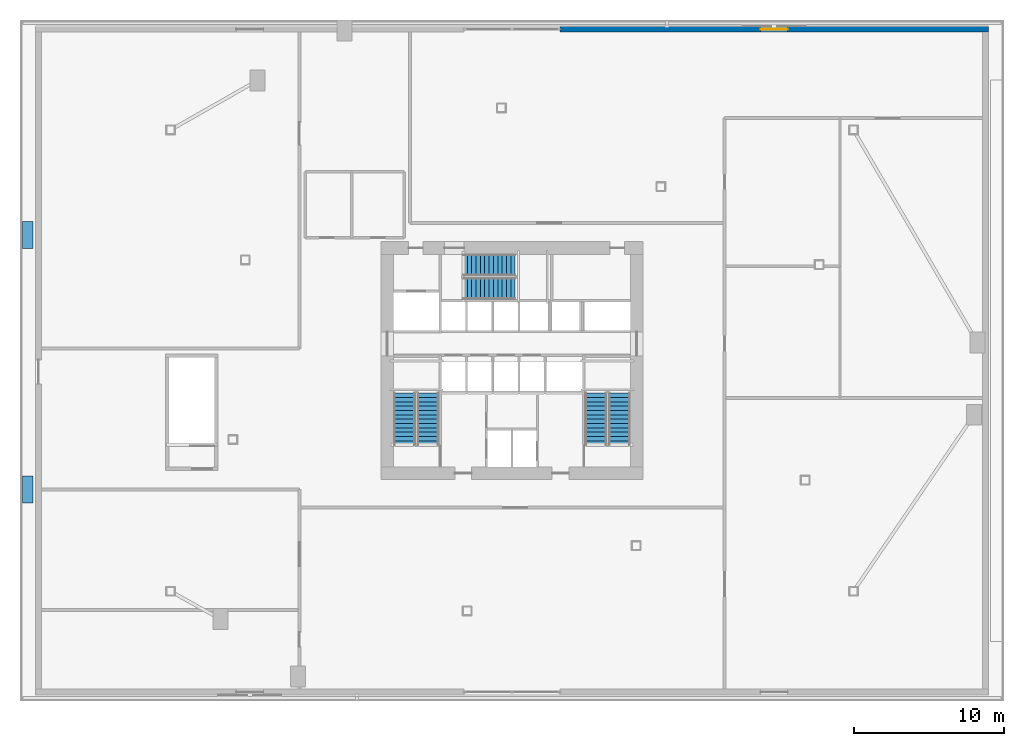
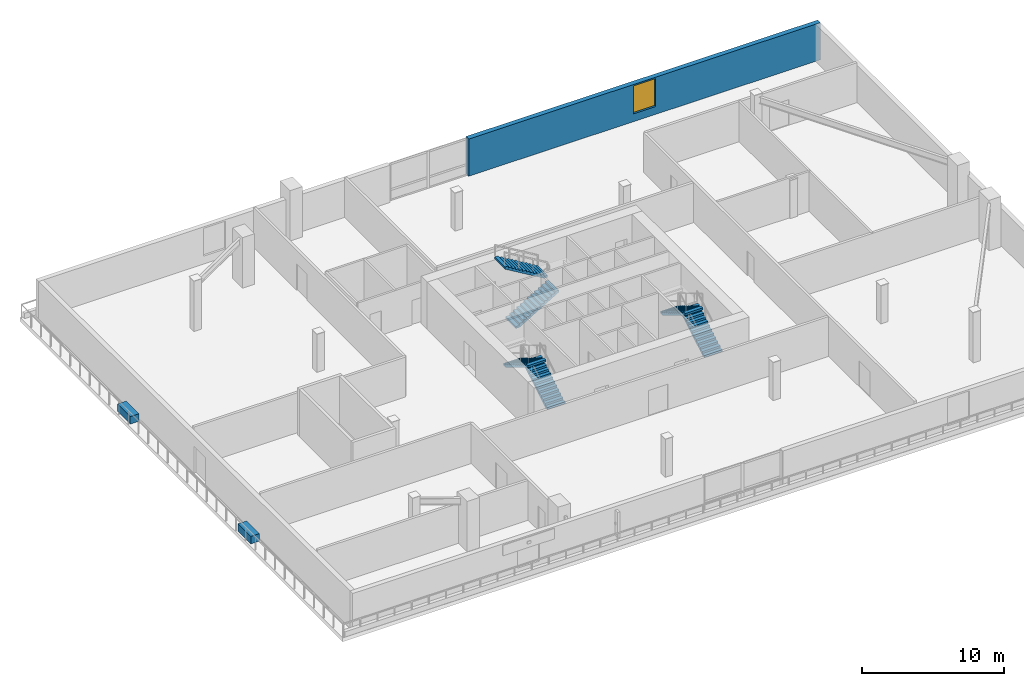
# One storey, part 10 of 16: 6 stair flights, 2 discrete accessories, 1 wall, 1 window, 1 opening, 3 elements without a shape of their own.
"""IFC4 building model written with IfcOpenShell, lengths in metres."""

from ifc_helpers import new_model, si_unit, direction, frame, frame_2d, origin, origin_2d, place, context, subcontext, project, spatial, polyline, rectangle, outline, extrude, source, transform, mapped, material, layer, layer_set, type_object, type_shapes, element, fill, aggregate, save


model = new_model("IFC4")

# Units and contexts
model_context = context("Model", 3, precision=1e-05, world=origin(), true_north=direction((0.0, 1.0)))
body_context = subcontext(model_context, "Body", "Model", "MODEL_VIEW")
ifc_project = project(units=[si_unit("LENGTHUNIT", "METRE"), si_unit("AREAUNIT", "SQUARE_METRE"), si_unit("VOLUMEUNIT", "CUBIC_METRE"), si_unit("PLANEANGLEUNIT", "RADIAN"), si_unit("MASSUNIT", "GRAM", prefix="KILO")], contexts=[model_context])

# Site, building, storey
site_placement = place(None, origin())
site = spatial("IfcSite", under=ifc_project, at=site_placement, CompositionType="ELEMENT")
building_placement = place(site_placement, origin())
building = spatial("IfcBuilding", under=site, at=building_placement, Name="Olszyna Solenne Hotel", CompositionType="ELEMENT")
storey_placement = place(building_placement, frame((0.0, 0.0, 20.10009765625)))
storey = spatial("IfcBuildingStorey", under=building, at=storey_placement, Name="L04", CompositionType="ELEMENT", Elevation=20.10009765625)

# Wall, opening, window
ifc_material_1 = material(Name="Terracotta cladding on precast concrete C45/55", Category="masonry")
ifc_layer = layer(ifc_material_1, 0.3798828125, Name="Terracotta cladding on precast concrete C45/55")
ifc_layer_set = layer_set([ifc_layer], Name="Terracotta cladding on precast concrete C45/55")
wall_type = type_object("IfcWallType", Name="WL-EX380", PredefinedType="SOLIDWALL", material=ifc_layer_set)
wall_placement = place(storey_placement, frame((41.199951171875, 48.72998046875, 0.0), z_axis=(0.0, 0.0, 1.0), x_axis=(1.0, 0.0, 0.0)))
wall = element("IfcWall", 1, at=wall_placement, inside=storey, type_object=wall_type, Name="Podium terracotta-precast exterior wall EW-L04-NE", PredefinedType="SOLIDWALL", context=body_context, shape_type="SweptSolid", body=[
    extrude(rectangle(XDim=28.60009765625, YDim=0.3798828125, at=frame_2d((14.300048828125, 0.0))), origin(), (0.0, 0.0, 1.0), 3.199951171875),
])
opening_placement = place(wall_placement, frame((13.39990234375, 0.0, 0.679931640625)))
opening = element("IfcOpeningElement", 2, at=opening_placement, cuts=wall, Name="Opening WN-L04-020", PredefinedType="OPENING", context=body_context, shape_type="SweptSolid", body=[
    extrude(rectangle(XDim=1.800048828125, YDim=2.39990234375, at=frame_2d((0.89990234375, 1.199951171875))), frame((0.0, 0.199951171875, 0.0), z_axis=(0.0, -1.0, 0.0), x_axis=(1.0, 0.0, 0.0)), (0.0, 0.0, 1.0), 0.39990234375),
])
ifc_material_2 = material(Name="Low-E triple glazing", Category="glass")
window_type = type_object("IfcWindowType", Name="WN-PD2", PartitioningType="SINGLE_PANEL", PredefinedType="WINDOW", material=ifc_material_2)
shared_shape_1 = source(origin(), body_context, "Body", "SweptSolid", [
    extrude(rectangle(XDim=1.800048828125, YDim=2.39990234375, at=frame_2d((0.89990234375, 1.199951171875))), frame((0.0, 0.030029296875, 0.0), z_axis=(0.0, -1.0, 0.0), x_axis=(1.0, 0.0, 0.0)), (0.0, 0.0, 1.0), 0.06005859375),
])
type_shapes(window_type, [shared_shape_1])
window_placement = place(opening_placement, origin())
window = element("IfcWindow", 3, at=window_placement, inside=storey, type_object=window_type, Name="Podium triple-glazed window WN-PD2 WN-L04-020", OverallHeight=2.39990234375, OverallWidth=1.800048828125, PartitioningType="SINGLE_PANEL", PredefinedType="WINDOW", context=body_context, shape_type="MappedRepresentation", body=[
    mapped(shared_shape_1, transform((0.0, 0.0, 0.0), x_axis=(1.0, 0.0, 0.0), y_axis=(0.0, 1.0, 0.0), z_axis=(0.0, 0.0, 1.0), scale=1.0)),
])
fill(opening, window)

# Stair, stair flights
ifc_material_3 = material(Name="Concrete C40/50", Category="concrete")
stair_type = type_object("IfcStairType", Name="STR-C1", PredefinedType="TWO_QUARTER_WINDING_STAIR", material=ifc_material_3)
stair_1_placement = place(storey_placement, origin())
stair_1 = element("IfcStair", 4, at=stair_1_placement, inside=storey, type_object=stair_type, Name="L04 ST1", PredefinedType="TWO_QUARTER_WINDING_STAIR")
stair_flight_type = type_object("IfcStairFlightType", Name="FLT-C1", PredefinedType="STRAIGHT", material=ifc_material_3)
stair_flight_1_placement = place(storey_placement, frame((32.39501953125, 20.949951171875, 0.0), z_axis=(0.0, 0.0, 1.0), x_axis=(0.0, 1.0, 0.0)))
stair_flight_1 = element("IfcStairFlight", 5, at=stair_flight_1_placement, type_object=stair_flight_type, Name="ST1 flight 1", NumberOfRisers=13, NumberOfTreads=12, PredefinedType="STRAIGHT", RiserHeight=0.173076923, TreadLength=0.29, context=body_context, shape_type="SweptSolid", body=[
    extrude(outline(polyline([(0.0, 0.0), (0.0, 0.173095703125), (0.2900390625, 0.173095703125), (0.2900390625, 0.34619140625), (0.580078125, 0.34619140625), (0.580078125, 0.519287109375), (0.8701171875, 0.519287109375), (0.8701171875, 0.6923828125), (1.159912109375, 0.6923828125), (1.159912109375, 0.865478515625), (1.449951171875, 0.865478515625), (1.449951171875, 1.03857421875), (1.739990234375, 1.03857421875), (1.739990234375, 1.21142578125), (2.030029296875, 1.21142578125), (2.030029296875, 1.384521484375), (2.320068359375, 1.384521484375), (2.320068359375, 1.5576171875), (2.610107421875, 1.5576171875), (2.610107421875, 1.730712890625), (2.89990234375, 1.730712890625), (2.89990234375, 1.90380859375), (3.18994140625, 1.90380859375), (3.18994140625, 2.076904296875), (3.47998046875, 2.076904296875), (3.47998046875, 2.25), (3.47998046875, 1.90234375), (0.29248046875, 0.0), (0.0, 0.0)])), frame((0.0, 0.72509765625, 0.0), z_axis=(0.0, -1.0, 0.0), x_axis=(1.0, 0.0, 0.0)), (0.0, 0.0, 1.0), 1.449951171875),
])
stair_flight_2_placement = place(storey_placement, frame((30.824951171875, 24.429931640625, 2.25), z_axis=(0.0, 0.0, 1.0), x_axis=(0.0, -1.0, 0.0)))
stair_flight_2 = element("IfcStairFlight", 6, at=stair_flight_2_placement, type_object=stair_flight_type, Name="ST1 flight 2", NumberOfRisers=13, NumberOfTreads=12, PredefinedType="STRAIGHT", RiserHeight=0.173076923, TreadLength=0.29, context=body_context, shape_type="SweptSolid", body=[
    extrude(outline(polyline([(0.0, 0.0), (0.0, 0.173095703125), (0.2900390625, 0.173095703125), (0.2900390625, 0.34619140625), (0.580078125, 0.34619140625), (0.580078125, 0.519287109375), (0.8701171875, 0.519287109375), (0.8701171875, 0.6923828125), (1.159912109375, 0.6923828125), (1.159912109375, 0.865478515625), (1.449951171875, 0.865478515625), (1.449951171875, 1.03857421875), (1.739990234375, 1.03857421875), (1.739990234375, 1.21142578125), (2.030029296875, 1.21142578125), (2.030029296875, 1.384521484375), (2.320068359375, 1.384521484375), (2.320068359375, 1.5576171875), (2.610107421875, 1.5576171875), (2.610107421875, 1.730712890625), (2.89990234375, 1.730712890625), (2.89990234375, 1.90380859375), (3.18994140625, 1.90380859375), (3.18994140625, 2.076904296875), (3.47998046875, 2.076904296875), (3.47998046875, 2.25), (3.47998046875, 1.90234375), (0.29248046875, 0.0), (0.0, 0.0)])), frame((0.0, 0.72509765625, 0.0), z_axis=(0.0, -1.0, 0.0), x_axis=(1.0, 0.0, 0.0)), (0.0, 0.0, 1.0), 1.449951171875),
])
aggregate(stair_1, [stair_flight_1, stair_flight_2])

stair_2_placement = place(storey_placement, origin())
stair_2 = element("IfcStair", 7, at=stair_2_placement, inside=storey, type_object=stair_type, Name="L04 ST2", PredefinedType="TWO_QUARTER_WINDING_STAIR")
stair_flight_3_placement = place(storey_placement, frame((45.175048828125, 20.949951171875, 0.0), z_axis=(0.0, 0.0, 1.0), x_axis=(0.0, 1.0, 0.0)))
stair_flight_3 = element("IfcStairFlight", 8, at=stair_flight_3_placement, type_object=stair_flight_type, Name="ST2 flight 1", NumberOfRisers=13, NumberOfTreads=12, PredefinedType="STRAIGHT", RiserHeight=0.173076923, TreadLength=0.29, context=body_context, shape_type="SweptSolid", body=[
    extrude(outline(polyline([(0.0, 0.0), (0.0, 0.173095703125), (0.2900390625, 0.173095703125), (0.2900390625, 0.34619140625), (0.580078125, 0.34619140625), (0.580078125, 0.519287109375), (0.8701171875, 0.519287109375), (0.8701171875, 0.6923828125), (1.159912109375, 0.6923828125), (1.159912109375, 0.865478515625), (1.449951171875, 0.865478515625), (1.449951171875, 1.03857421875), (1.739990234375, 1.03857421875), (1.739990234375, 1.21142578125), (2.030029296875, 1.21142578125), (2.030029296875, 1.384521484375), (2.320068359375, 1.384521484375), (2.320068359375, 1.5576171875), (2.610107421875, 1.5576171875), (2.610107421875, 1.730712890625), (2.89990234375, 1.730712890625), (2.89990234375, 1.90380859375), (3.18994140625, 1.90380859375), (3.18994140625, 2.076904296875), (3.47998046875, 2.076904296875), (3.47998046875, 2.25), (3.47998046875, 1.90234375), (0.29248046875, 0.0), (0.0, 0.0)])), frame((0.0, 0.72509765625, 0.0), z_axis=(0.0, -1.0, 0.0), x_axis=(1.0, 0.0, 0.0)), (0.0, 0.0, 1.0), 1.449951171875),
])
stair_flight_4_placement = place(storey_placement, frame((43.60498046875, 24.429931640625, 2.25), z_axis=(0.0, 0.0, 1.0), x_axis=(0.0, -1.0, 0.0)))
stair_flight_4 = element("IfcStairFlight", 9, at=stair_flight_4_placement, type_object=stair_flight_type, Name="ST2 flight 2", NumberOfRisers=13, NumberOfTreads=12, PredefinedType="STRAIGHT", RiserHeight=0.173076923, TreadLength=0.29, context=body_context, shape_type="SweptSolid", body=[
    extrude(outline(polyline([(0.0, 0.0), (0.0, 0.173095703125), (0.2900390625, 0.173095703125), (0.2900390625, 0.34619140625), (0.580078125, 0.34619140625), (0.580078125, 0.519287109375), (0.8701171875, 0.519287109375), (0.8701171875, 0.6923828125), (1.159912109375, 0.6923828125), (1.159912109375, 0.865478515625), (1.449951171875, 0.865478515625), (1.449951171875, 1.03857421875), (1.739990234375, 1.03857421875), (1.739990234375, 1.21142578125), (2.030029296875, 1.21142578125), (2.030029296875, 1.384521484375), (2.320068359375, 1.384521484375), (2.320068359375, 1.5576171875), (2.610107421875, 1.5576171875), (2.610107421875, 1.730712890625), (2.89990234375, 1.730712890625), (2.89990234375, 1.90380859375), (3.18994140625, 1.90380859375), (3.18994140625, 2.076904296875), (3.47998046875, 2.076904296875), (3.47998046875, 2.25), (3.47998046875, 1.90234375), (0.29248046875, 0.0), (0.0, 0.0)])), frame((0.0, 0.72509765625, 0.0), z_axis=(0.0, -1.0, 0.0), x_axis=(1.0, 0.0, 0.0)), (0.0, 0.0, 1.0), 1.449951171875),
])
aggregate(stair_2, [stair_flight_3, stair_flight_4])

stair_3_placement = place(storey_placement, origin())
stair_3 = element("IfcStair", 10, at=stair_3_placement, inside=storey, type_object=stair_type, Name="L04 ST3", PredefinedType="TWO_QUARTER_WINDING_STAIR")
stair_flight_5_placement = place(storey_placement, frame((34.72998046875, 31.405029296875, 0.0), z_axis=(0.0, 0.0, 1.0), x_axis=(1.0, 0.0, 0.0)))
stair_flight_5 = element("IfcStairFlight", 11, at=stair_flight_5_placement, type_object=stair_flight_type, Name="ST3 flight 1", NumberOfRisers=13, NumberOfTreads=12, PredefinedType="STRAIGHT", RiserHeight=0.173076923, TreadLength=0.29, context=body_context, shape_type="SweptSolid", body=[
    extrude(outline(polyline([(0.0, 0.0), (0.0, 0.173095703125), (0.2900390625, 0.173095703125), (0.2900390625, 0.34619140625), (0.580078125, 0.34619140625), (0.580078125, 0.519287109375), (0.8701171875, 0.519287109375), (0.8701171875, 0.6923828125), (1.159912109375, 0.6923828125), (1.159912109375, 0.865478515625), (1.449951171875, 0.865478515625), (1.449951171875, 1.03857421875), (1.739990234375, 1.03857421875), (1.739990234375, 1.21142578125), (2.030029296875, 1.21142578125), (2.030029296875, 1.384521484375), (2.320068359375, 1.384521484375), (2.320068359375, 1.5576171875), (2.610107421875, 1.5576171875), (2.610107421875, 1.730712890625), (2.89990234375, 1.730712890625), (2.89990234375, 1.90380859375), (3.18994140625, 1.90380859375), (3.18994140625, 2.076904296875), (3.47998046875, 2.076904296875), (3.47998046875, 2.25), (3.47998046875, 1.90234375), (0.29248046875, 0.0), (0.0, 0.0)])), frame((0.0, 0.72509765625, 0.0), z_axis=(0.0, -1.0, 0.0), x_axis=(1.0, 0.0, 0.0)), (0.0, 0.0, 1.0), 1.449951171875),
])
stair_flight_6_placement = place(storey_placement, frame((38.2099609375, 32.97509765625, 2.25), z_axis=(0.0, 0.0, 1.0), x_axis=(-1.0, 0.0, 0.0)))
stair_flight_6 = element("IfcStairFlight", 12, at=stair_flight_6_placement, type_object=stair_flight_type, Name="ST3 flight 2", NumberOfRisers=13, NumberOfTreads=12, PredefinedType="STRAIGHT", RiserHeight=0.173076923, TreadLength=0.29, context=body_context, shape_type="SweptSolid", body=[
    extrude(outline(polyline([(0.0, 0.0), (0.0, 0.173095703125), (0.2900390625, 0.173095703125), (0.2900390625, 0.34619140625), (0.580078125, 0.34619140625), (0.580078125, 0.519287109375), (0.8701171875, 0.519287109375), (0.8701171875, 0.6923828125), (1.159912109375, 0.6923828125), (1.159912109375, 0.865478515625), (1.449951171875, 0.865478515625), (1.449951171875, 1.03857421875), (1.739990234375, 1.03857421875), (1.739990234375, 1.21142578125), (2.030029296875, 1.21142578125), (2.030029296875, 1.384521484375), (2.320068359375, 1.384521484375), (2.320068359375, 1.5576171875), (2.610107421875, 1.5576171875), (2.610107421875, 1.730712890625), (2.89990234375, 1.730712890625), (2.89990234375, 1.90380859375), (3.18994140625, 1.90380859375), (3.18994140625, 2.076904296875), (3.47998046875, 2.076904296875), (3.47998046875, 2.25), (3.47998046875, 1.90234375), (0.29248046875, 0.0), (0.0, 0.0)])), frame((0.0, 0.72509765625, 0.0), z_axis=(0.0, -1.0, 0.0), x_axis=(1.0, 0.0, 0.0)), (0.0, 0.0, 1.0), 1.449951171875),
])
aggregate(stair_3, [stair_flight_5, stair_flight_6])

# Discrete accessories
ifc_material_4 = material(Name="Precast concrete C45/55", Category="concrete")
discrete_accessory_type = type_object("IfcDiscreteAccessoryType", Name="PLN-01", PredefinedType="USERDEFINED", material=ifc_material_4)
shared_shape_2 = source(origin(), body_context, "Body", "SweptSolid", [
    extrude(rectangle(XDim=1.800048828125, YDim=0.699951171875, at=origin_2d()), origin(), (0.0, 0.0, 1.0), 0.64990234375),
])
for number, where, z_axis, x_axis, name in (
    (13, (5.669921875, 18.0, 0.0), (0.0, 0.0, 1.0), (0.0, 1.0, 0.0), "Terrace planted structural planter PLN-L04-1"),
    (14, (5.669921875, 35.0, 0.0), (0.0, 0.0, 1.0), (0.0, 1.0, 0.0), "Terrace planted structural planter PLN-L04-2"),
):
    element("IfcDiscreteAccessory", number, at=place(storey_placement, frame(where, z_axis=z_axis, x_axis=x_axis)), inside=storey, type_object=discrete_accessory_type, Name=name, ObjectType="PLANTER", PredefinedType="USERDEFINED", context=body_context, shape_type="MappedRepresentation", body=[
        mapped(shared_shape_2, transform((0.0, 0.0, 0.0), x_axis=(1.0, 0.0, 0.0), y_axis=(0.0, 1.0, 0.0), z_axis=(0.0, 0.0, 1.0), scale=1.0)),
    ])

save(model, "model.ifc")
